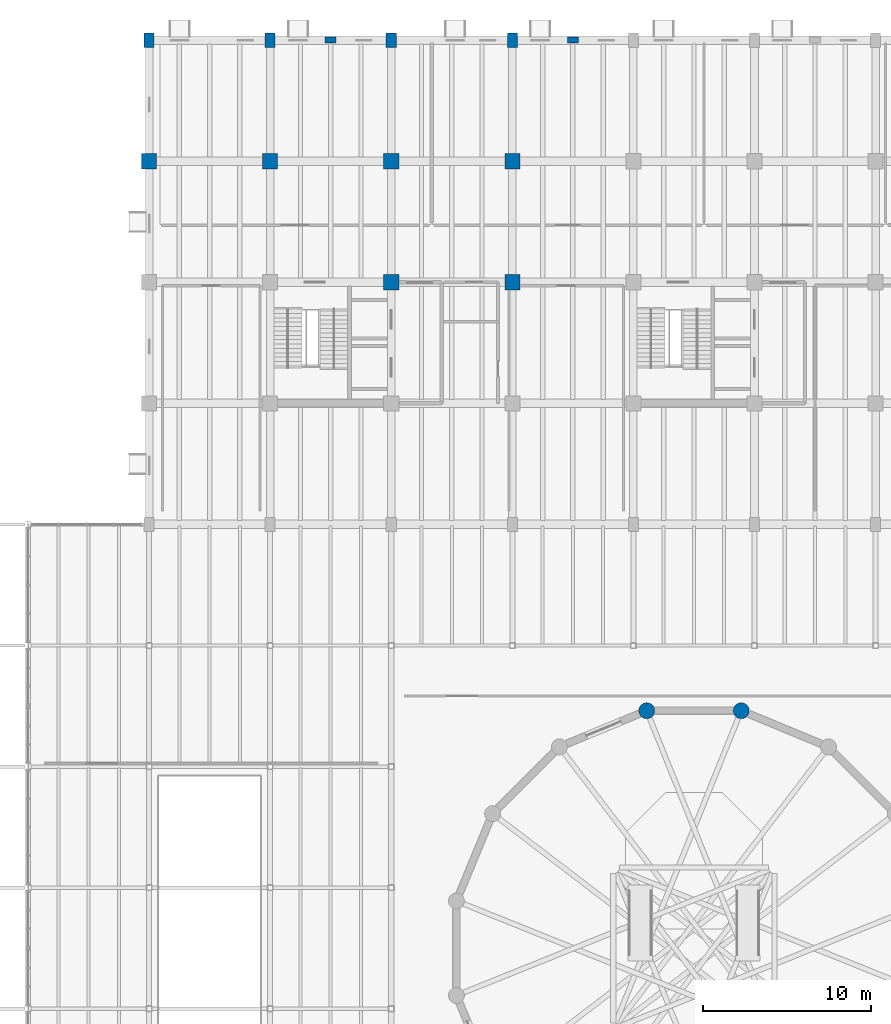
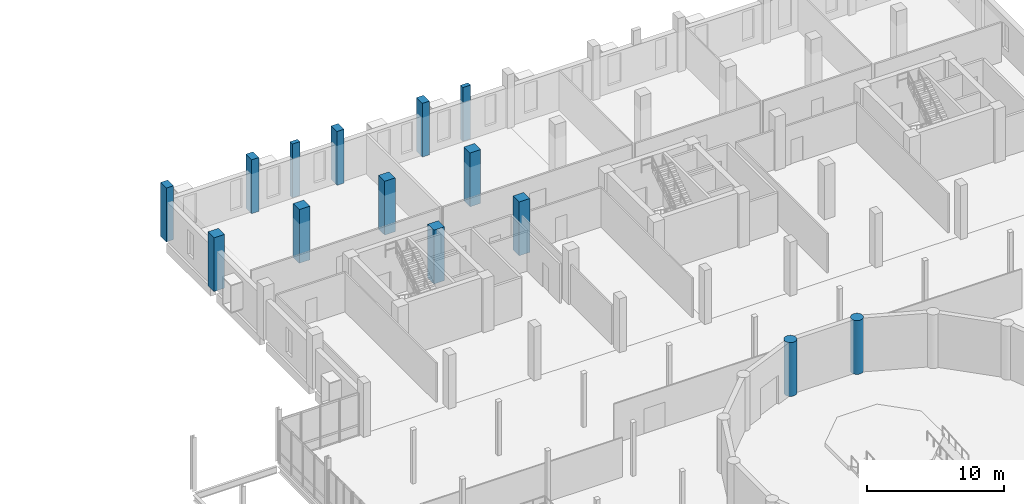
# One storey, part 12 of 77: 14 columns.
"""IFC4 building model written with IfcOpenShell, lengths in metres."""

from ifc_helpers import new_model, si_unit, direction, frame, origin, origin_2d, place, context, subcontext, project, spatial, rectangle, circle, extrude, material, material_profile, profile_set, type_object, element, save


model = new_model("IFC4")

# Units and contexts
model_context = context("Model", 3, precision=1e-05, world=origin(), true_north=direction((0.0, 1.0)))
body_context = subcontext(model_context, "Body", "Model", "MODEL_VIEW")
ifc_project = project(units=[si_unit("LENGTHUNIT", "METRE"), si_unit("AREAUNIT", "SQUARE_METRE"), si_unit("VOLUMEUNIT", "CUBIC_METRE"), si_unit("PLANEANGLEUNIT", "RADIAN"), si_unit("MASSUNIT", "GRAM", prefix="KILO")], contexts=[model_context])

# Site, building, storey
site_placement = place(None, origin())
site = spatial("IfcSite", under=ifc_project, at=site_placement, CompositionType="ELEMENT")
building_placement = place(site_placement, origin())
building = spatial("IfcBuilding", under=site, at=building_placement, Name="Qiaolan Assembly House", CompositionType="ELEMENT")
storey_placement = place(building_placement, frame((0.0, 0.0, 5.39990234375)))
storey = spatial("IfcBuildingStorey", under=building, at=storey_placement, Name="L01", CompositionType="ELEMENT", Elevation=5.39990234375)

# Columns
ifc_material_1 = material(Name="Concrete C50/60", Category="concrete")
ifc_material_profile_1 = material_profile(ifc_material_1, circle(Radius=0.47509765625, at=origin_2d()), Name="CIRC D950")
ifc_profile_set_1 = profile_set([ifc_material_profile_1], Name="Concrete C50/60")
column_type_1 = type_object("IfcColumnType", Name="COL-DRUM-D950", PredefinedType="COLUMN", material=ifc_profile_set_1)
for number, where, z_axis, x_axis, name in (
    (1, (71.209228515625, 75.3232421875, 0.0), (0.0, 0.0, 1.0), (1.0, 0.0, 0.0), "DC-01 chamber drum pier 4 L01"),
    (2, (65.5908203125, 75.3232421875, 0.0), (0.0, 0.0, 1.0), (1.0, 0.0, 0.0), "DC-01 chamber drum pier 5 L01"),
):
    element("IfcColumn", number, at=place(storey_placement, frame(where, z_axis=z_axis, x_axis=x_axis)), inside=storey, type_object=column_type_1, Name=name, PredefinedType="COLUMN", context=body_context, shape_type="SweptSolid", body=[
        extrude(circle(Radius=0.47509765625, at=origin_2d()), origin(), (0.0, 0.0, 1.0), 4.800048828125),
    ])
ifc_material_profile_2 = material_profile(ifc_material_1, rectangle(XDim=0.60009765625, YDim=0.85009765625, at=origin_2d()), Name="RC 850x600")
ifc_profile_set_2 = profile_set([ifc_material_profile_2], Name="Concrete C50/60")
column_type_2 = type_object("IfcColumnType", Name="COL-RC-850x600", PredefinedType="COLUMN", material=ifc_profile_set_2)
for number, where, z_axis, x_axis, name in (
    (3, (36.0, 115.199951171875, 0.0), (0.0, 0.0, 1.0), (1.0, 0.0, 0.0), "RC-13 column NW L01"),
    (4, (43.199951171875, 115.199951171875, 0.0), (0.0, 0.0, 1.0), (1.0, 0.0, 0.0), "RC-13 column NW L01"),
    (5, (50.39990234375, 115.199951171875, 0.0), (0.0, 0.0, 1.0), (1.0, 0.0, 0.0), "RC-13 column NW L01"),
    (6, (57.60009765625, 115.199951171875, 0.0), (0.0, 0.0, 1.0), (1.0, 0.0, 0.0), "RC-13 column NW L01"),
):
    element("IfcColumn", number, at=place(storey_placement, frame(where, z_axis=z_axis, x_axis=x_axis)), inside=storey, type_object=column_type_2, Name=name, PredefinedType="COLUMN", context=body_context, shape_type="SweptSolid", body=[
        extrude(rectangle(XDim=0.60009765625, YDim=0.85009765625, at=origin_2d()), origin(), (0.0, 0.0, 1.0), 4.800048828125),
    ])
ifc_material_profile_3 = material_profile(ifc_material_1, rectangle(XDim=0.89990234375, YDim=0.89990234375, at=origin_2d()), Name="RC 900x900")
ifc_profile_set_3 = profile_set([ifc_material_profile_3], Name="Concrete C50/60")
column_type_3 = type_object("IfcColumnType", Name="COL-RC-900", PredefinedType="COLUMN", material=ifc_profile_set_3)
for number, where, z_axis, x_axis, name in (
    (7, (36.0, 108.0, 0.0), (0.0, 0.0, 1.0), (1.0, 0.0, 0.0), "RC-03 column NW L01"),
    (8, (43.199951171875, 108.0, 0.0), (0.0, 0.0, 1.0), (1.0, 0.0, 0.0), "RC-03 column NW L01"),
    (9, (50.39990234375, 100.800048828125, 0.0), (0.0, 0.0, 1.0), (1.0, 0.0, 0.0), "RC-03 column NW L01"),
    (10, (50.39990234375, 108.0, 0.0), (0.0, 0.0, 1.0), (1.0, 0.0, 0.0), "RC-03 column NW L01"),
    (11, (57.60009765625, 100.800048828125, 0.0), (0.0, 0.0, 1.0), (1.0, 0.0, 0.0), "RC-03 column NW L01"),
    (12, (57.60009765625, 108.0, 0.0), (0.0, 0.0, 1.0), (1.0, 0.0, 0.0), "RC-03 column NW L01"),
):
    element("IfcColumn", number, at=place(storey_placement, frame(where, z_axis=z_axis, x_axis=x_axis)), inside=storey, type_object=column_type_3, Name=name, PredefinedType="COLUMN", context=body_context, shape_type="SweptSolid", body=[
        extrude(rectangle(XDim=0.89990234375, YDim=0.89990234375, at=origin_2d()), origin(), (0.0, 0.0, 1.0), 4.800048828125),
    ])
ifc_material_2 = material(Name="Precast concrete C45/55", Category="concrete")
ifc_material_profile_4 = material_profile(ifc_material_2, rectangle(XDim=0.64990234375, YDim=0.35009765625, at=origin_2d()), Name="PIL 650x350")
ifc_profile_set_4 = profile_set([ifc_material_profile_4], Name="Precast concrete C45/55")
column_type_4 = type_object("IfcColumnType", Name="PIL-NW-650x350", PredefinedType="PILASTER", material=ifc_profile_set_4)
for number, where, z_axis, x_axis, name in (
    (13, (46.800048828125, 115.199951171875, 0.0), (0.0, 0.0, 1.0), (1.0, 0.0, 0.0), "PL-02 neoclassical pilaster NW L01"),
    (14, (61.199951171875, 115.199951171875, 0.0), (0.0, 0.0, 1.0), (1.0, 0.0, 0.0), "PL-02 neoclassical pilaster NW L01"),
):
    element("IfcColumn", number, at=place(storey_placement, frame(where, z_axis=z_axis, x_axis=x_axis)), inside=storey, type_object=column_type_4, Name=name, PredefinedType="PILASTER", context=body_context, shape_type="SweptSolid", body=[
        extrude(rectangle(XDim=0.64990234375, YDim=0.35009765625, at=origin_2d()), origin(), (0.0, 0.0, 1.0), 4.800048828125),
    ])

save(model, "model.ifc")
